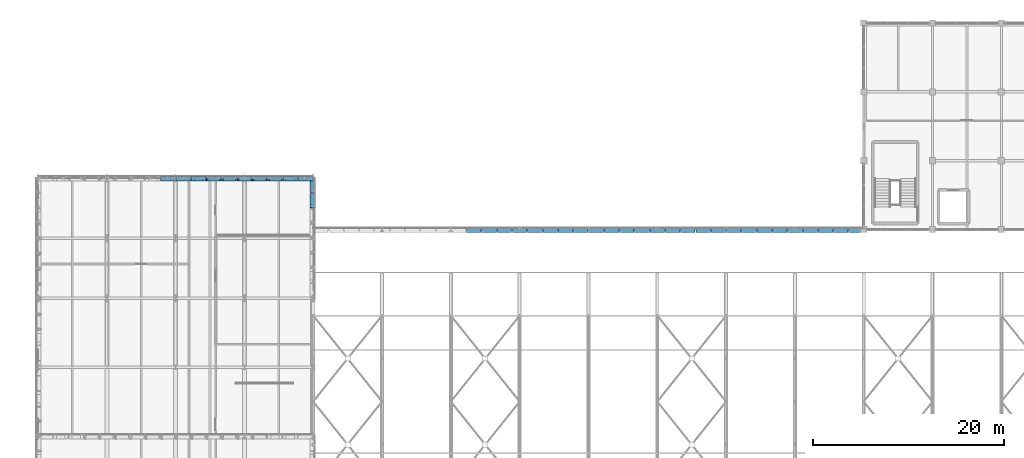
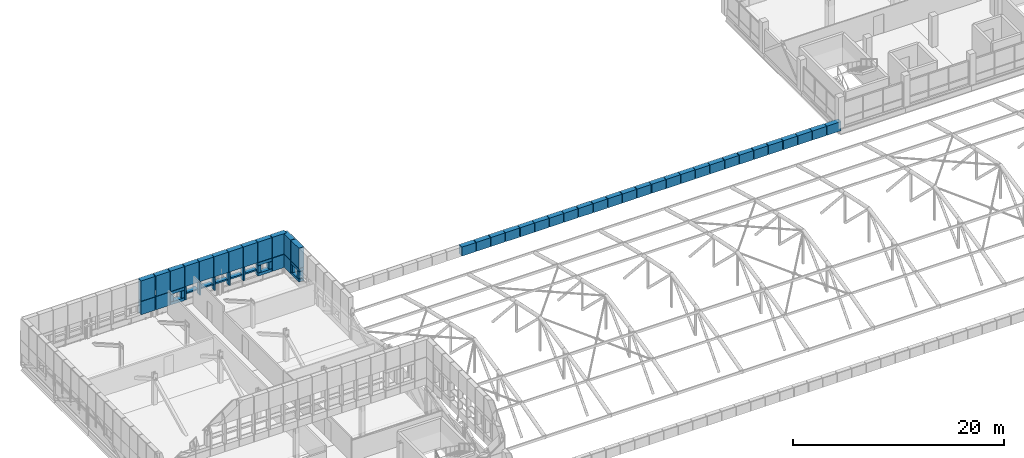
# One storey, part 72 of 96: 64 discrete accessories.
"""IFC4 building model written with IfcOpenShell, lengths in metres."""

from ifc_helpers import new_model, si_unit, direction, frame, origin, origin_2d, place, context, subcontext, project, spatial, rectangle, extrude, material, type_object, element, save


model = new_model("IFC4")

# Units and contexts
model_context = context("Model", 3, precision=1e-05, world=origin(), true_north=direction((0.0, 1.0)))
body_context = subcontext(model_context, "Body", "Model", "MODEL_VIEW")
ifc_project = project(units=[si_unit("LENGTHUNIT", "METRE"), si_unit("AREAUNIT", "SQUARE_METRE"), si_unit("VOLUMEUNIT", "CUBIC_METRE"), si_unit("PLANEANGLEUNIT", "RADIAN"), si_unit("MASSUNIT", "GRAM", prefix="KILO")], contexts=[model_context])

# Site, building, storey
site_placement = place(None, origin())
site = spatial("IfcSite", under=ifc_project, at=site_placement, CompositionType="ELEMENT")
building_placement = place(site_placement, origin())
building = spatial("IfcBuilding", under=site, at=building_placement, Name="Yarey Park Central Fire Station", CompositionType="ELEMENT")
storey_placement = place(building_placement, frame((0.0, 0.0, 14.39990234375)))
storey = spatial("IfcBuildingStorey", under=building, at=storey_placement, Name="L04", CompositionType="ELEMENT", Elevation=14.39990234375)

# Discrete accessories
ifc_material = material(Name="Stainless Steel AISI 316L", Category="steel")
discrete_accessory_type = type_object("IfcDiscreteAccessoryType", Name="ENV_BRK_SS1", PredefinedType="BRACKET", material=ifc_material)
for number, where, z_axis, x_axis, name in (
    (1, (57.550048828125, 96.637451171875, 0.8701171875), (0.0, 0.0, 1.0), (1.0, 0.0, 0.0), "BRK_PERF_L04_0516"),
    (2, (57.550048828125, 96.637451171875, 2.080078125), (0.0, 0.0, 1.0), (1.0, 0.0, 0.0), "BRK_PERF_L04_0517"),
):
    element("IfcDiscreteAccessory", number, at=place(storey_placement, frame(where, z_axis=z_axis, x_axis=x_axis)), inside=storey, type_object=discrete_accessory_type, Name=name, PredefinedType="BRACKET", context=body_context, shape_type="SweptSolid", body=[
        extrude(rectangle(XDim=0.5400390625, YDim=1.514892578125, at=origin_2d()), origin(), (0.0, 0.0, 1.0), 0.320068359375),
    ])
for number, where, z_axis, x_axis, name in (
    (3, (57.550048828125, 96.050048828125, 1.23486328125), (0.0, 0.0, 1.0), (1.0, 0.0, 0.0), "BRK_PERF_L04_0518"),
    (4, (57.550048828125, 97.22509765625, 1.23486328125), (0.0, 0.0, 1.0), (1.0, 0.0, 0.0), "BRK_PERF_L04_0519"),
):
    element("IfcDiscreteAccessory", number, at=place(storey_placement, frame(where, z_axis=z_axis, x_axis=x_axis)), inside=storey, type_object=discrete_accessory_type, Name=name, PredefinedType="BRACKET", context=body_context, shape_type="SweptSolid", body=[
        extrude(rectangle(XDim=0.5400390625, YDim=0.320068359375, at=origin_2d()), origin(), (0.0, 0.0, 1.0), 0.800048828125),
    ])
discrete_accessory_1_placement = place(storey_placement, frame((57.550048828125, 96.637451171875, 2.445068359375), z_axis=(0.0, 0.0, 1.0), x_axis=(1.0, 0.0, 0.0)))
element("IfcDiscreteAccessory", 5, at=discrete_accessory_1_placement, inside=storey, type_object=discrete_accessory_type, Name="BRK_PERF_L04_0520", PredefinedType="BRACKET", context=body_context, shape_type="SweptSolid", body=[
    extrude(rectangle(XDim=0.5400390625, YDim=1.514892578125, at=origin_2d()), origin(), (0.0, 0.0, 1.0), 2.35009765625),
])
discrete_accessory_2_placement = place(storey_placement, frame((57.550048828125, 98.21240234375, 0.875), z_axis=(0.0, 0.0, 1.0), x_axis=(1.0, 0.0, 0.0)))
element("IfcDiscreteAccessory", 6, at=discrete_accessory_2_placement, inside=storey, type_object=discrete_accessory_type, Name="BRK_PERF_L04_0524", PredefinedType="BRACKET", context=body_context, shape_type="SweptSolid", body=[
    extrude(rectangle(XDim=0.5400390625, YDim=1.514892578125, at=origin_2d()), origin(), (0.0, 0.0, 1.0), 1.52001953125),
])
discrete_accessory_3_placement = place(storey_placement, frame((57.550048828125, 98.21240234375, 2.445068359375), z_axis=(0.0, 0.0, 1.0), x_axis=(1.0, 0.0, 0.0)))
element("IfcDiscreteAccessory", 7, at=discrete_accessory_3_placement, inside=storey, type_object=discrete_accessory_type, Name="BRK_PERF_L04_0525", PredefinedType="BRACKET", context=body_context, shape_type="SweptSolid", body=[
    extrude(rectangle(XDim=0.5400390625, YDim=1.514892578125, at=origin_2d()), origin(), (0.0, 0.0, 1.0), 2.35009765625),
])
discrete_accessory_4_placement = place(storey_placement, frame((42.39990234375, 98.949951171875, 0.875), z_axis=(0.0, 0.0, 1.0), x_axis=(1.0, 0.0, 0.0)))
element("IfcDiscreteAccessory", 8, at=discrete_accessory_4_placement, inside=storey, type_object=discrete_accessory_type, Name="BRK_PERF_L04_0848", PredefinedType="BRACKET", context=body_context, shape_type="SweptSolid", body=[
    extrude(rectangle(XDim=1.5400390625, YDim=0.5400390625, at=origin_2d()), origin(), (0.0, 0.0, 1.0), 1.52001953125),
])
discrete_accessory_5_placement = place(storey_placement, frame((42.39990234375, 98.949951171875, 2.445068359375), z_axis=(0.0, 0.0, 1.0), x_axis=(1.0, 0.0, 0.0)))
element("IfcDiscreteAccessory", 9, at=discrete_accessory_5_placement, inside=storey, type_object=discrete_accessory_type, Name="BRK_PERF_L04_0849", PredefinedType="BRACKET", context=body_context, shape_type="SweptSolid", body=[
    extrude(rectangle(XDim=1.5400390625, YDim=0.5400390625, at=origin_2d()), origin(), (0.0, 0.0, 1.0), 2.35009765625),
])
discrete_accessory_6_placement = place(storey_placement, frame((44.0, 98.949951171875, 0.875), z_axis=(0.0, 0.0, 1.0), x_axis=(1.0, 0.0, 0.0)))
element("IfcDiscreteAccessory", 10, at=discrete_accessory_6_placement, inside=storey, type_object=discrete_accessory_type, Name="BRK_PERF_L04_0853", PredefinedType="BRACKET", context=body_context, shape_type="SweptSolid", body=[
    extrude(rectangle(XDim=1.5400390625, YDim=0.5400390625, at=origin_2d()), origin(), (0.0, 0.0, 1.0), 1.52001953125),
])
discrete_accessory_7_placement = place(storey_placement, frame((44.0, 98.949951171875, 2.445068359375), z_axis=(0.0, 0.0, 1.0), x_axis=(1.0, 0.0, 0.0)))
element("IfcDiscreteAccessory", 11, at=discrete_accessory_7_placement, inside=storey, type_object=discrete_accessory_type, Name="BRK_PERF_L04_0854", PredefinedType="BRACKET", context=body_context, shape_type="SweptSolid", body=[
    extrude(rectangle(XDim=1.5400390625, YDim=0.5400390625, at=origin_2d()), origin(), (0.0, 0.0, 1.0), 2.35009765625),
])
for number, where, z_axis, x_axis, name in (
    (12, (45.60009765625, 98.949951171875, 0.8701171875), (0.0, 0.0, 1.0), (1.0, 0.0, 0.0), "BRK_PERF_L04_0861"),
    (13, (45.60009765625, 98.949951171875, 2.080078125), (0.0, 0.0, 1.0), (1.0, 0.0, 0.0), "BRK_PERF_L04_0862"),
):
    element("IfcDiscreteAccessory", number, at=place(storey_placement, frame(where, z_axis=z_axis, x_axis=x_axis)), inside=storey, type_object=discrete_accessory_type, Name=name, PredefinedType="BRACKET", context=body_context, shape_type="SweptSolid", body=[
        extrude(rectangle(XDim=1.5400390625, YDim=0.5400390625, at=origin_2d()), origin(), (0.0, 0.0, 1.0), 0.320068359375),
    ])
for number, where, z_axis, x_axis, name in (
    (14, (45.0, 98.949951171875, 1.23486328125), (0.0, 0.0, 1.0), (1.0, 0.0, 0.0), "BRK_PERF_L04_0863"),
    (15, (46.199951171875, 98.949951171875, 1.23486328125), (0.0, 0.0, 1.0), (1.0, 0.0, 0.0), "BRK_PERF_L04_0864"),
):
    element("IfcDiscreteAccessory", number, at=place(storey_placement, frame(where, z_axis=z_axis, x_axis=x_axis)), inside=storey, type_object=discrete_accessory_type, Name=name, PredefinedType="BRACKET", context=body_context, shape_type="SweptSolid", body=[
        extrude(rectangle(XDim=0.320068359375, YDim=0.5400390625, at=origin_2d()), origin(), (0.0, 0.0, 1.0), 0.800048828125),
    ])
discrete_accessory_8_placement = place(storey_placement, frame((45.60009765625, 98.949951171875, 2.445068359375), z_axis=(0.0, 0.0, 1.0), x_axis=(1.0, 0.0, 0.0)))
element("IfcDiscreteAccessory", 16, at=discrete_accessory_8_placement, inside=storey, type_object=discrete_accessory_type, Name="BRK_PERF_L04_0865", PredefinedType="BRACKET", context=body_context, shape_type="SweptSolid", body=[
    extrude(rectangle(XDim=1.5400390625, YDim=0.5400390625, at=origin_2d()), origin(), (0.0, 0.0, 1.0), 2.35009765625),
])
discrete_accessory_9_placement = place(storey_placement, frame((46.510009765625, 98.949951171875, 0.875), z_axis=(0.0, 0.0, 1.0), x_axis=(1.0, 0.0, 0.0)))
element("IfcDiscreteAccessory", 17, at=discrete_accessory_9_placement, inside=storey, type_object=discrete_accessory_type, Name="BRK_PERF_L04_0870", PredefinedType="BRACKET", context=body_context, shape_type="SweptSolid", body=[
    extrude(rectangle(XDim=0.159912109375, YDim=0.5400390625, at=origin_2d()), origin(), (0.0, 0.0, 1.0), 1.52001953125),
])
discrete_accessory_10_placement = place(storey_placement, frame((47.199951171875, 98.949951171875, 1.55517578125), z_axis=(0.0, 0.0, 1.0), x_axis=(1.0, 0.0, 0.0)))
element("IfcDiscreteAccessory", 18, at=discrete_accessory_10_placement, inside=storey, type_object=discrete_accessory_type, Name="BRK_PERF_L04_0871", PredefinedType="BRACKET", context=body_context, shape_type="SweptSolid", body=[
    extrude(rectangle(XDim=1.340087890625, YDim=0.5400390625, at=origin_2d()), origin(), (0.0, 0.0, 1.0), 0.159912109375),
])
discrete_accessory_11_placement = place(storey_placement, frame((47.199951171875, 98.949951171875, 2.445068359375), z_axis=(0.0, 0.0, 1.0), x_axis=(1.0, 0.0, 0.0)))
element("IfcDiscreteAccessory", 19, at=discrete_accessory_11_placement, inside=storey, type_object=discrete_accessory_type, Name="BRK_PERF_L04_0872", PredefinedType="BRACKET", context=body_context, shape_type="SweptSolid", body=[
    extrude(rectangle(XDim=1.5400390625, YDim=0.5400390625, at=origin_2d()), origin(), (0.0, 0.0, 1.0), 2.35009765625),
])
discrete_accessory_12_placement = place(storey_placement, frame((48.110107421875, 98.949951171875, 0.875), z_axis=(0.0, 0.0, 1.0), x_axis=(1.0, 0.0, 0.0)))
element("IfcDiscreteAccessory", 20, at=discrete_accessory_12_placement, inside=storey, type_object=discrete_accessory_type, Name="BRK_PERF_L04_0877", PredefinedType="BRACKET", context=body_context, shape_type="SweptSolid", body=[
    extrude(rectangle(XDim=0.159912109375, YDim=0.5400390625, at=origin_2d()), origin(), (0.0, 0.0, 1.0), 1.52001953125),
])
discrete_accessory_13_placement = place(storey_placement, frame((48.800048828125, 98.949951171875, 1.55517578125), z_axis=(0.0, 0.0, 1.0), x_axis=(1.0, 0.0, 0.0)))
element("IfcDiscreteAccessory", 21, at=discrete_accessory_13_placement, inside=storey, type_object=discrete_accessory_type, Name="BRK_PERF_L04_0878", PredefinedType="BRACKET", context=body_context, shape_type="SweptSolid", body=[
    extrude(rectangle(XDim=1.340087890625, YDim=0.5400390625, at=origin_2d()), origin(), (0.0, 0.0, 1.0), 0.159912109375),
])
discrete_accessory_14_placement = place(storey_placement, frame((48.800048828125, 98.949951171875, 2.445068359375), z_axis=(0.0, 0.0, 1.0), x_axis=(1.0, 0.0, 0.0)))
element("IfcDiscreteAccessory", 22, at=discrete_accessory_14_placement, inside=storey, type_object=discrete_accessory_type, Name="BRK_PERF_L04_0879", PredefinedType="BRACKET", context=body_context, shape_type="SweptSolid", body=[
    extrude(rectangle(XDim=1.5400390625, YDim=0.5400390625, at=origin_2d()), origin(), (0.0, 0.0, 1.0), 2.35009765625),
])
discrete_accessory_15_placement = place(storey_placement, frame((49.7099609375, 98.949951171875, 0.875), z_axis=(0.0, 0.0, 1.0), x_axis=(1.0, 0.0, 0.0)))
element("IfcDiscreteAccessory", 23, at=discrete_accessory_15_placement, inside=storey, type_object=discrete_accessory_type, Name="BRK_PERF_L04_0884", PredefinedType="BRACKET", context=body_context, shape_type="SweptSolid", body=[
    extrude(rectangle(XDim=0.159912109375, YDim=0.5400390625, at=origin_2d()), origin(), (0.0, 0.0, 1.0), 1.52001953125),
])
discrete_accessory_16_placement = place(storey_placement, frame((50.39990234375, 98.949951171875, 1.55517578125), z_axis=(0.0, 0.0, 1.0), x_axis=(1.0, 0.0, 0.0)))
element("IfcDiscreteAccessory", 24, at=discrete_accessory_16_placement, inside=storey, type_object=discrete_accessory_type, Name="BRK_PERF_L04_0885", PredefinedType="BRACKET", context=body_context, shape_type="SweptSolid", body=[
    extrude(rectangle(XDim=1.340087890625, YDim=0.5400390625, at=origin_2d()), origin(), (0.0, 0.0, 1.0), 0.159912109375),
])
discrete_accessory_17_placement = place(storey_placement, frame((50.39990234375, 98.949951171875, 2.445068359375), z_axis=(0.0, 0.0, 1.0), x_axis=(1.0, 0.0, 0.0)))
element("IfcDiscreteAccessory", 25, at=discrete_accessory_17_placement, inside=storey, type_object=discrete_accessory_type, Name="BRK_PERF_L04_0886", PredefinedType="BRACKET", context=body_context, shape_type="SweptSolid", body=[
    extrude(rectangle(XDim=1.5400390625, YDim=0.5400390625, at=origin_2d()), origin(), (0.0, 0.0, 1.0), 2.35009765625),
])
discrete_accessory_18_placement = place(storey_placement, frame((51.31005859375, 98.949951171875, 0.875), z_axis=(0.0, 0.0, 1.0), x_axis=(1.0, 0.0, 0.0)))
element("IfcDiscreteAccessory", 26, at=discrete_accessory_18_placement, inside=storey, type_object=discrete_accessory_type, Name="BRK_PERF_L04_0891", PredefinedType="BRACKET", context=body_context, shape_type="SweptSolid", body=[
    extrude(rectangle(XDim=0.159912109375, YDim=0.5400390625, at=origin_2d()), origin(), (0.0, 0.0, 1.0), 1.52001953125),
])
discrete_accessory_19_placement = place(storey_placement, frame((52.0, 98.949951171875, 1.55517578125), z_axis=(0.0, 0.0, 1.0), x_axis=(1.0, 0.0, 0.0)))
element("IfcDiscreteAccessory", 27, at=discrete_accessory_19_placement, inside=storey, type_object=discrete_accessory_type, Name="BRK_PERF_L04_0892", PredefinedType="BRACKET", context=body_context, shape_type="SweptSolid", body=[
    extrude(rectangle(XDim=1.340087890625, YDim=0.5400390625, at=origin_2d()), origin(), (0.0, 0.0, 1.0), 0.159912109375),
])
discrete_accessory_20_placement = place(storey_placement, frame((52.0, 98.949951171875, 2.445068359375), z_axis=(0.0, 0.0, 1.0), x_axis=(1.0, 0.0, 0.0)))
element("IfcDiscreteAccessory", 28, at=discrete_accessory_20_placement, inside=storey, type_object=discrete_accessory_type, Name="BRK_PERF_L04_0893", PredefinedType="BRACKET", context=body_context, shape_type="SweptSolid", body=[
    extrude(rectangle(XDim=1.5400390625, YDim=0.5400390625, at=origin_2d()), origin(), (0.0, 0.0, 1.0), 2.35009765625),
])
discrete_accessory_21_placement = place(storey_placement, frame((52.909912109375, 98.949951171875, 0.875), z_axis=(0.0, 0.0, 1.0), x_axis=(1.0, 0.0, 0.0)))
element("IfcDiscreteAccessory", 29, at=discrete_accessory_21_placement, inside=storey, type_object=discrete_accessory_type, Name="BRK_PERF_L04_0898", PredefinedType="BRACKET", context=body_context, shape_type="SweptSolid", body=[
    extrude(rectangle(XDim=0.159912109375, YDim=0.5400390625, at=origin_2d()), origin(), (0.0, 0.0, 1.0), 1.52001953125),
])
discrete_accessory_22_placement = place(storey_placement, frame((53.60009765625, 98.949951171875, 1.55517578125), z_axis=(0.0, 0.0, 1.0), x_axis=(1.0, 0.0, 0.0)))
element("IfcDiscreteAccessory", 30, at=discrete_accessory_22_placement, inside=storey, type_object=discrete_accessory_type, Name="BRK_PERF_L04_0899", PredefinedType="BRACKET", context=body_context, shape_type="SweptSolid", body=[
    extrude(rectangle(XDim=1.340087890625, YDim=0.5400390625, at=origin_2d()), origin(), (0.0, 0.0, 1.0), 0.159912109375),
])
discrete_accessory_23_placement = place(storey_placement, frame((53.60009765625, 98.949951171875, 2.445068359375), z_axis=(0.0, 0.0, 1.0), x_axis=(1.0, 0.0, 0.0)))
element("IfcDiscreteAccessory", 31, at=discrete_accessory_23_placement, inside=storey, type_object=discrete_accessory_type, Name="BRK_PERF_L04_0900", PredefinedType="BRACKET", context=body_context, shape_type="SweptSolid", body=[
    extrude(rectangle(XDim=1.5400390625, YDim=0.5400390625, at=origin_2d()), origin(), (0.0, 0.0, 1.0), 2.35009765625),
])
for number, where, z_axis, x_axis, name in (
    (32, (55.199951171875, 98.949951171875, 0.8701171875), (0.0, 0.0, 1.0), (1.0, 0.0, 0.0), "BRK_PERF_L04_0907"),
    (33, (55.199951171875, 98.949951171875, 2.080078125), (0.0, 0.0, 1.0), (1.0, 0.0, 0.0), "BRK_PERF_L04_0908"),
):
    element("IfcDiscreteAccessory", number, at=place(storey_placement, frame(where, z_axis=z_axis, x_axis=x_axis)), inside=storey, type_object=discrete_accessory_type, Name=name, PredefinedType="BRACKET", context=body_context, shape_type="SweptSolid", body=[
        extrude(rectangle(XDim=1.5400390625, YDim=0.5400390625, at=origin_2d()), origin(), (0.0, 0.0, 1.0), 0.320068359375),
    ])
for number, where, z_axis, x_axis, name in (
    (34, (54.60009765625, 98.949951171875, 1.23486328125), (0.0, 0.0, 1.0), (1.0, 0.0, 0.0), "BRK_PERF_L04_0909"),
    (35, (55.800048828125, 98.949951171875, 1.23486328125), (0.0, 0.0, 1.0), (1.0, 0.0, 0.0), "BRK_PERF_L04_0910"),
):
    element("IfcDiscreteAccessory", number, at=place(storey_placement, frame(where, z_axis=z_axis, x_axis=x_axis)), inside=storey, type_object=discrete_accessory_type, Name=name, PredefinedType="BRACKET", context=body_context, shape_type="SweptSolid", body=[
        extrude(rectangle(XDim=0.320068359375, YDim=0.5400390625, at=origin_2d()), origin(), (0.0, 0.0, 1.0), 0.800048828125),
    ])
discrete_accessory_24_placement = place(storey_placement, frame((55.199951171875, 98.949951171875, 2.445068359375), z_axis=(0.0, 0.0, 1.0), x_axis=(1.0, 0.0, 0.0)))
element("IfcDiscreteAccessory", 36, at=discrete_accessory_24_placement, inside=storey, type_object=discrete_accessory_type, Name="BRK_PERF_L04_0911", PredefinedType="BRACKET", context=body_context, shape_type="SweptSolid", body=[
    extrude(rectangle(XDim=1.5400390625, YDim=0.5400390625, at=origin_2d()), origin(), (0.0, 0.0, 1.0), 2.35009765625),
])
discrete_accessory_25_placement = place(storey_placement, frame((56.800048828125, 98.949951171875, 0.875), z_axis=(0.0, 0.0, 1.0), x_axis=(1.0, 0.0, 0.0)))
element("IfcDiscreteAccessory", 37, at=discrete_accessory_25_placement, inside=storey, type_object=discrete_accessory_type, Name="BRK_PERF_L04_0915", PredefinedType="BRACKET", context=body_context, shape_type="SweptSolid", body=[
    extrude(rectangle(XDim=1.5400390625, YDim=0.5400390625, at=origin_2d()), origin(), (0.0, 0.0, 1.0), 1.52001953125),
])
discrete_accessory_26_placement = place(storey_placement, frame((56.800048828125, 98.949951171875, 2.445068359375), z_axis=(0.0, 0.0, 1.0), x_axis=(1.0, 0.0, 0.0)))
element("IfcDiscreteAccessory", 38, at=discrete_accessory_26_placement, inside=storey, type_object=discrete_accessory_type, Name="BRK_PERF_L04_0916", PredefinedType="BRACKET", context=body_context, shape_type="SweptSolid", body=[
    extrude(rectangle(XDim=1.5400390625, YDim=0.5400390625, at=origin_2d()), origin(), (0.0, 0.0, 1.0), 2.35009765625),
])
for number, where, z_axis, x_axis, name in (
    (39, (74.39990234375, 93.550048828125, -0.27490234375), (0.0, 0.0, 1.0), (1.0, 0.0, 0.0), "BRK_PERF_L04_1608"),
    (40, (76.0, 93.550048828125, -0.27490234375), (0.0, 0.0, 1.0), (1.0, 0.0, 0.0), "BRK_PERF_L04_1614"),
    (41, (77.60009765625, 93.550048828125, -0.27490234375), (0.0, 0.0, 1.0), (1.0, 0.0, 0.0), "BRK_PERF_L04_1618"),
    (42, (79.199951171875, 93.550048828125, -0.27490234375), (0.0, 0.0, 1.0), (1.0, 0.0, 0.0), "BRK_PERF_L04_1622"),
    (43, (80.800048828125, 93.550048828125, -0.27490234375), (0.0, 0.0, 1.0), (1.0, 0.0, 0.0), "BRK_PERF_L04_1626"),
    (44, (82.39990234375, 93.550048828125, -0.27490234375), (0.0, 0.0, 1.0), (1.0, 0.0, 0.0), "BRK_PERF_L04_1630"),
    (45, (84.0, 93.550048828125, -0.27490234375), (0.0, 0.0, 1.0), (1.0, 0.0, 0.0), "BRK_PERF_L04_1636"),
    (46, (85.60009765625, 93.550048828125, -0.27490234375), (0.0, 0.0, 1.0), (1.0, 0.0, 0.0), "BRK_PERF_L04_1639"),
    (47, (87.199951171875, 93.550048828125, -0.27490234375), (0.0, 0.0, 1.0), (1.0, 0.0, 0.0), "BRK_PERF_L04_1642"),
    (48, (88.800048828125, 93.550048828125, -0.27490234375), (0.0, 0.0, 1.0), (1.0, 0.0, 0.0), "BRK_PERF_L04_1645"),
    (49, (90.39990234375, 93.550048828125, -0.27490234375), (0.0, 0.0, 1.0), (1.0, 0.0, 0.0), "BRK_PERF_L04_1651"),
    (50, (92.0, 93.550048828125, -0.27490234375), (0.0, 0.0, 1.0), (1.0, 0.0, 0.0), "BRK_PERF_L04_1655"),
    (51, (93.60009765625, 93.550048828125, -0.27490234375), (0.0, 0.0, 1.0), (1.0, 0.0, 0.0), "BRK_PERF_L04_1659"),
    (52, (95.199951171875, 93.550048828125, -0.27490234375), (0.0, 0.0, 1.0), (1.0, 0.0, 0.0), "BRK_PERF_L04_1663"),
    (53, (96.800048828125, 93.550048828125, -0.27490234375), (0.0, 0.0, 1.0), (1.0, 0.0, 0.0), "BRK_PERF_L04_1667"),
    (54, (98.39990234375, 93.550048828125, -0.27490234375), (0.0, 0.0, 1.0), (1.0, 0.0, 0.0), "BRK_PERF_L04_1673"),
    (55, (100.0, 93.550048828125, -0.27490234375), (0.0, 0.0, 1.0), (1.0, 0.0, 0.0), "BRK_PERF_L04_1676"),
    (56, (101.60009765625, 93.550048828125, -0.27490234375), (0.0, 0.0, 1.0), (1.0, 0.0, 0.0), "BRK_PERF_L04_1679"),
    (57, (103.199951171875, 93.550048828125, -0.27490234375), (0.0, 0.0, 1.0), (1.0, 0.0, 0.0), "BRK_PERF_L04_1682"),
    (58, (104.800048828125, 93.550048828125, -0.27490234375), (0.0, 0.0, 1.0), (1.0, 0.0, 0.0), "BRK_PERF_L04_1688"),
    (59, (106.39990234375, 93.550048828125, -0.27490234375), (0.0, 0.0, 1.0), (1.0, 0.0, 0.0), "BRK_PERF_L04_1692"),
    (60, (108.0, 93.550048828125, -0.27490234375), (0.0, 0.0, 1.0), (1.0, 0.0, 0.0), "BRK_PERF_L04_1696"),
    (61, (109.60009765625, 93.550048828125, -0.27490234375), (0.0, 0.0, 1.0), (1.0, 0.0, 0.0), "BRK_PERF_L04_1700"),
    (62, (111.199951171875, 93.550048828125, -0.27490234375), (0.0, 0.0, 1.0), (1.0, 0.0, 0.0), "BRK_PERF_L04_1704"),
    (63, (112.800048828125, 93.550048828125, -0.27490234375), (0.0, 0.0, 1.0), (1.0, 0.0, 0.0), "BRK_PERF_L04_1710"),
    (64, (114.39990234375, 93.550048828125, -0.27490234375), (0.0, 0.0, 1.0), (1.0, 0.0, 0.0), "BRK_PERF_L04_1713"),
):
    element("IfcDiscreteAccessory", number, at=place(storey_placement, frame(where, z_axis=z_axis, x_axis=x_axis)), inside=storey, type_object=discrete_accessory_type, Name=name, PredefinedType="BRACKET", context=body_context, shape_type="SweptSolid", body=[
        extrude(rectangle(XDim=1.5400390625, YDim=0.5400390625, at=origin_2d()), origin(), (0.0, 0.0, 1.0), 1.050048828125),
    ])

save(model, "model.ifc")
